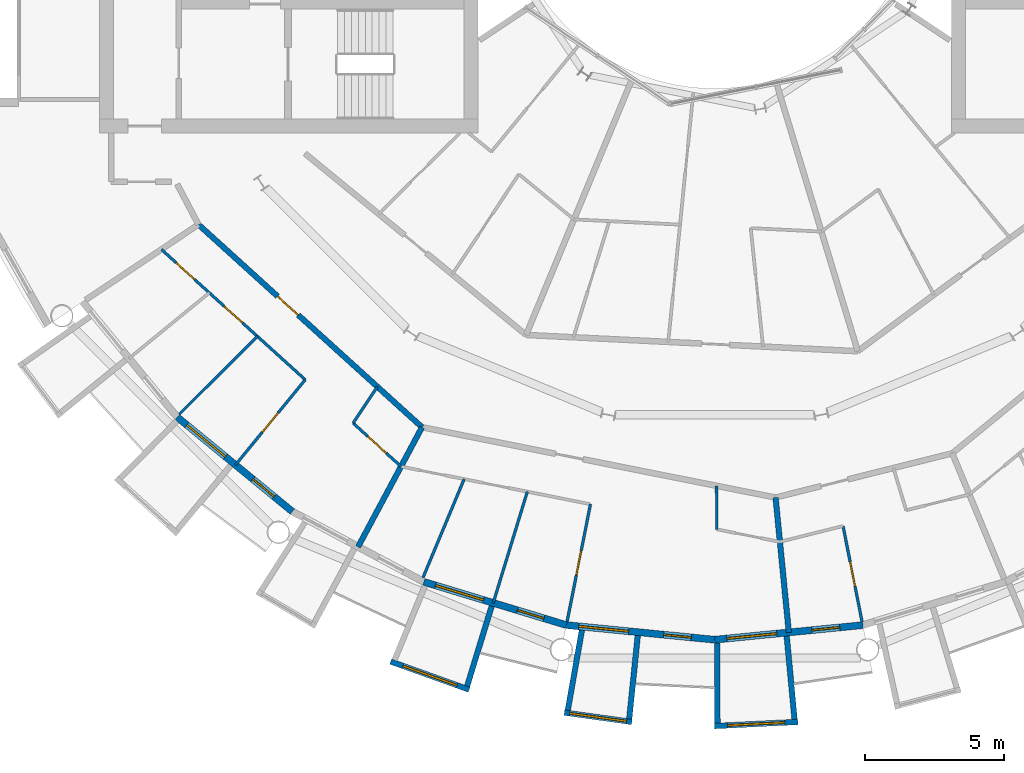
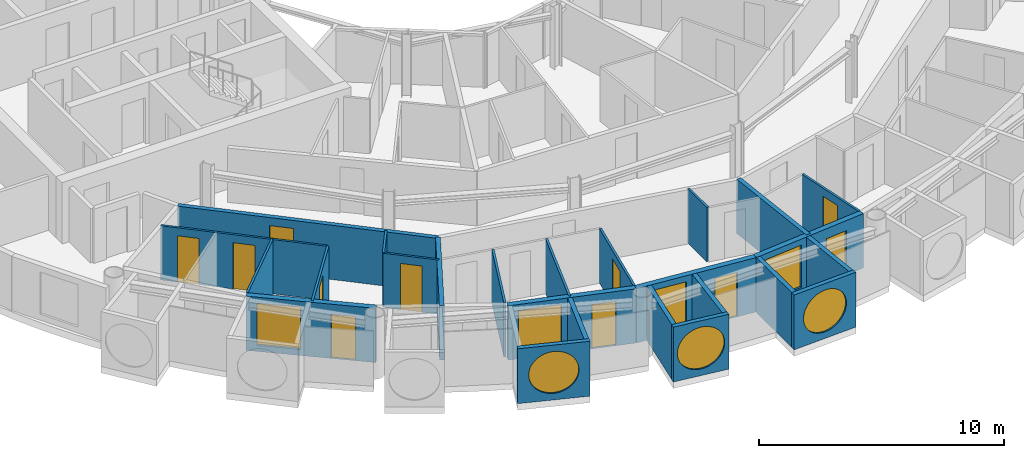
# One storey, part 14 of 27: 25 walls, 11 doors, 7 windows, 18 openings.
"""IFC4 building model written with IfcOpenShell, lengths in metres."""

from ifc_helpers import new_model, si_unit, direction, frame, frame_2d, origin, place, context, subcontext, project, spatial, rectangle, circle, extrude, material, layer, layer_set, type_object, element, fill, save


model = new_model("IFC4")

# Units and contexts
model_context = context("Model", 3, precision=1e-05, world=origin(), true_north=direction((0.0, 1.0)))
body_context = subcontext(model_context, "Body", "Model", "MODEL_VIEW")
ifc_project = project(units=[si_unit("LENGTHUNIT", "METRE"), si_unit("AREAUNIT", "SQUARE_METRE"), si_unit("VOLUMEUNIT", "CUBIC_METRE"), si_unit("PLANEANGLEUNIT", "RADIAN"), si_unit("MASSUNIT", "GRAM", prefix="KILO")], contexts=[model_context])

# Site, building, storey
site_placement = place(None, origin())
site = spatial("IfcSite", under=ifc_project, at=site_placement, CompositionType="ELEMENT")
building_placement = place(site_placement, origin())
building = spatial("IfcBuilding", under=site, at=building_placement, Name="Maasbend Ring Residences", CompositionType="ELEMENT")
storey_placement = place(building_placement, frame((0.0, 0.0, 151.300048828125)))
storey = spatial("IfcBuildingStorey", under=building, at=storey_placement, Name="L43", CompositionType="ELEMENT", Elevation=151.300048828125)

# Wall, opening, door
ifc_material_1 = material(Name="Concrete C30/37", Category="concrete")
ifc_layer_1 = layer(ifc_material_1, 0.199951171875)
ifc_layer_set_1 = layer_set([ifc_layer_1], Name="Concrete C30/37")
wall_type_1 = type_object("IfcWallType", Name="CORRIDOR WALL 200 CONCRETE", PredefinedType="PARTITIONING", material=ifc_layer_set_1)
wall_1_placement = place(storey_placement, frame((-18.5419921875, -12.388916015625, 0.0), z_axis=(0.0, 0.0, 1.0), x_axis=(0.740979597636, -0.671527539188, 0.0)))
wall_1 = element("IfcWall", 1, at=wall_1_placement, inside=storey, type_object=wall_type_1, Name="U-L43-w014", PredefinedType="PARTITIONING", context=body_context, shape_type="SweptSolid", body=[
    extrude(rectangle(XDim=10.841064453125, YDim=0.199951171875, at=frame_2d((5.42041015625, 0.0))), origin(), (0.0, 0.0, 1.0), 2.699951171875),
])
opening_1_placement = place(wall_1_placement, frame((3.8349609375, 0.0, 0.0)))
opening_1 = element("IfcOpeningElement", 2, at=opening_1_placement, cuts=wall_1, Name="Opening D-4333", PredefinedType="OPENING", context=body_context, shape_type="SweptSolid", body=[
    extrude(rectangle(XDim=1.0, YDim=2.300048828125, at=frame_2d((0.5, 1.14990234375))), frame((0.0, 0.10986328125, 0.0), z_axis=(0.0, -1.0, 0.0), x_axis=(1.0, 0.0, 0.0)), (0.0, 0.0, 1.0), 0.219970703125),
])
ifc_material_2 = material(Name="Timber, fire-rated, painted", Category="wood")
door_type_1 = type_object("IfcDoorType", Name="FLAT ENTRANCE DOOR 1000 X 2300 FIRE-RATED", OperationType="NOTDEFINED", PredefinedType="DOOR", material=ifc_material_2)
door_1_placement = place(opening_1_placement, origin())
door_1 = element("IfcDoor", 3, at=door_1_placement, inside=storey, type_object=door_type_1, Name="D-4333", OperationType="SINGLE_SWING_LEFT", OverallHeight=2.300048828125, OverallWidth=1.0, PredefinedType="DOOR", context=body_context, shape_type="SweptSolid", body=[
    extrude(rectangle(XDim=1.0, YDim=2.300048828125, at=frame_2d((0.5, 1.14990234375))), frame((0.0, 0.02490234375, 0.0), z_axis=(0.0, -1.0, 0.0), x_axis=(1.0, 0.0, 0.0)), (0.0, 0.0, 1.0), 0.050048828125),
])
fill(opening_1, door_1)

# Wall, opening, window
ifc_material_3 = material(Name="Pale anodised aluminium panel", Category="aluminium")
ifc_layer_2 = layer(ifc_material_3, 0.199951171875)
ifc_layer_set_2 = layer_set([ifc_layer_2], Name="EW-BOX")
wall_type_2 = type_object("IfcWallType", Name="EW-BOX", PredefinedType="SOLIDWALL", material=ifc_layer_set_2)
wall_2_placement = place(storey_placement, frame((-11.637939453125, -28.083984375, -0.030029296875), z_axis=(0.0, 0.0, 1.0), x_axis=(0.941461077774, -0.337121697664, 0.0)))
wall_2 = element("IfcWall", 4, at=wall_2_placement, inside=storey, type_object=wall_type_2, Name="Box front S07", PredefinedType="SOLIDWALL", context=body_context, shape_type="SweptSolid", body=[
    extrude(rectangle(XDim=2.9931640625, YDim=0.199951171875, at=frame_2d((1.49658203125, 0.0))), origin(), (0.0, 0.0, 1.0), 2.72998046875),
])
opening_2_placement = place(wall_2_placement, frame((0.45654296875, 0.0, 0.330078125)))
opening_2 = element("IfcOpeningElement", 5, at=opening_2_placement, cuts=wall_2, Name="Opening W-RD", PredefinedType="OPENING", context=body_context, shape_type="SweptSolid", body=[
    extrude(circle(Radius=1.0400390625, at=frame_2d((1.0400390625, 1.0400390625))), frame((0.0, 0.10986328125, 0.0), z_axis=(0.0, -1.0, 0.0), x_axis=(1.0, 0.0, 0.0)), (0.0, 0.0, 1.0), 0.219970703125),
])
ifc_material_4 = material(Name="Aluminium and clear glass", Category="aluminium")
window_type_1 = type_object("IfcWindowType", Name="W-RD", PartitioningType="SINGLE_PANEL", PredefinedType="WINDOW", material=ifc_material_4)
window_1_placement = place(opening_2_placement, origin())
window_1 = element("IfcWindow", 6, at=window_1_placement, inside=storey, type_object=window_type_1, Name="Round window S07", OverallHeight=2.080078125, OverallWidth=2.080078125, PartitioningType="SINGLE_PANEL", PredefinedType="WINDOW", context=body_context, shape_type="SweptSolid", body=[
    extrude(circle(Radius=1.0400390625, at=frame_2d((1.0400390625, 1.0400390625))), frame((0.0, 0.030029296875, 0.0), z_axis=(0.0, -1.0, 0.0), x_axis=(1.0, 0.0, 0.0)), (0.0, 0.0, 1.0), 0.06005859375),
])
fill(opening_2, window_1)

# Wall
wall_3_placement = place(storey_placement, frame((-8.009033203125, -26.092041015625, -0.030029296875), z_axis=(0.0, 0.0, 1.0), x_axis=(-0.293406695073, -0.955987715029, 0.0)))
element("IfcWall", 7, at=wall_3_placement, inside=storey, type_object=wall_type_2, Name="Box side wall S07 right", PredefinedType="SOLIDWALL", context=body_context, shape_type="SweptSolid", body=[
    extrude(rectangle(XDim=3.00634765625, YDim=0.199951171875, at=frame_2d((1.503173828125, 0.0))), origin(), (0.0, 0.0, 1.0), 2.72998046875),
])

# Wall, opening, window
wall_4_placement = place(storey_placement, frame((-5.39794921875, -29.9169921875, -0.030029296875), z_axis=(0.0, 0.0, 1.0), x_axis=(0.990462016113, -0.137786046596, 0.0)))
wall_4 = element("IfcWall", 8, at=wall_4_placement, inside=storey, type_object=wall_type_2, Name="Box front S09", PredefinedType="SOLIDWALL", context=body_context, shape_type="SweptSolid", body=[
    extrude(rectangle(XDim=2.4453125, YDim=0.199951171875, at=frame_2d((1.22265625, 0.0))), origin(), (0.0, 0.0, 1.0), 2.72998046875),
])
opening_3_placement = place(wall_4_placement, frame((0.182861328125, 0.0, 0.330078125)))
opening_3 = element("IfcOpeningElement", 9, at=opening_3_placement, cuts=wall_4, Name="Opening W-RD", PredefinedType="OPENING", context=body_context, shape_type="SweptSolid", body=[
    extrude(circle(Radius=1.0400390625, at=frame_2d((1.0400390625, 1.0400390625))), frame((0.0, 0.10986328125, 0.0), z_axis=(0.0, -1.0, 0.0), x_axis=(1.0, 0.0, 0.0)), (0.0, 0.0, 1.0), 0.219970703125),
])
window_2_placement = place(opening_3_placement, origin())
window_2 = element("IfcWindow", 10, at=window_2_placement, inside=storey, type_object=window_type_1, Name="Round window S09", OverallHeight=2.080078125, OverallWidth=2.080078125, PartitioningType="SINGLE_PANEL", PredefinedType="WINDOW", context=body_context, shape_type="SweptSolid", body=[
    extrude(circle(Radius=1.0400390625, at=frame_2d((1.0400390625, 1.0400390625))), frame((0.0, 0.030029296875, 0.0), z_axis=(0.0, -1.0, 0.0), x_axis=(1.0, 0.0, 0.0)), (0.0, 0.0, 1.0), 0.06005859375),
])
fill(opening_3, window_2)

# Walls
wall_5_placement = place(storey_placement, frame((-4.76904296875, -26.9560546875, -0.030029296875), z_axis=(0.0, 0.0, 1.0), x_axis=(-0.174056778901, -0.984735618183, 0.0)))
element("IfcWall", 11, at=wall_5_placement, inside=storey, type_object=wall_type_2, Name="Box side wall S09 left", PredefinedType="SOLIDWALL", context=body_context, shape_type="SweptSolid", body=[
    extrude(rectangle(XDim=2.924560546875, YDim=0.199951171875, at=frame_2d((1.46240234375, 0.0))), origin(), (0.0, 0.0, 1.0), 2.72998046875),
])
wall_6_placement = place(storey_placement, frame((-2.763916015625, -27.153076171875, -0.030029296875), z_axis=(0.0, 0.0, 1.0), x_axis=(-0.101505487237, -0.994834979311, 0.0)))
element("IfcWall", 12, at=wall_6_placement, inside=storey, type_object=wall_type_2, Name="Box side wall S09 right", PredefinedType="SOLIDWALL", context=body_context, shape_type="SweptSolid", body=[
    extrude(rectangle(XDim=3.006591796875, YDim=0.199951171875, at=frame_2d((1.50341796875, 0.0))), origin(), (0.0, 0.0, 1.0), 2.72998046875),
])

# Wall, opening, window
wall_7_placement = place(storey_placement, frame((-0.0048828125, -30.39990234375, -0.030029296875), z_axis=(0.0, 0.0, 1.0), x_axis=(0.998794083011, 0.049095618353, 0.0)))
wall_7 = element("IfcWall", 13, at=wall_7_placement, inside=storey, type_object=wall_type_2, Name="Box front S11", PredefinedType="SOLIDWALL", context=body_context, shape_type="SweptSolid", body=[
    extrude(rectangle(XDim=2.99365234375, YDim=0.199951171875, at=frame_2d((1.496826171875, 0.0))), origin(), (0.0, 0.0, 1.0), 2.72998046875),
])
opening_4_placement = place(wall_7_placement, frame((0.45654296875, 0.0, 0.330078125)))
opening_4 = element("IfcOpeningElement", 14, at=opening_4_placement, cuts=wall_7, Name="Opening W-RD", PredefinedType="OPENING", context=body_context, shape_type="SweptSolid", body=[
    extrude(circle(Radius=1.0400390625, at=frame_2d((1.0400390625, 1.0400390625))), frame((0.0, 0.10986328125, 0.0), z_axis=(0.0, -1.0, 0.0), x_axis=(1.0, 0.0, 0.0)), (0.0, 0.0, 1.0), 0.219970703125),
])
window_3_placement = place(opening_4_placement, origin())
window_3 = element("IfcWindow", 15, at=window_3_placement, inside=storey, type_object=window_type_1, Name="Round window S11", OverallHeight=2.080078125, OverallWidth=2.080078125, PartitioningType="SINGLE_PANEL", PredefinedType="WINDOW", context=body_context, shape_type="SweptSolid", body=[
    extrude(circle(Radius=1.0400390625, at=frame_2d((1.0400390625, 1.0400390625))), frame((0.0, 0.030029296875, 0.0), z_axis=(0.0, -1.0, 0.0), x_axis=(1.0, 0.0, 0.0)), (0.0, 0.0, 1.0), 0.06005859375),
])
fill(opening_4, window_3)

# Walls
wall_8_placement = place(storey_placement, frame((0.090087890625, -27.4169921875, -0.030029296875), z_axis=(0.0, 0.0, 1.0), x_axis=(0.00347308367, -0.999993968827, 0.0)))
element("IfcWall", 16, at=wall_8_placement, inside=storey, type_object=wall_type_2, Name="Box side wall S11 left", PredefinedType="SOLIDWALL", context=body_context, shape_type="SweptSolid", body=[
    extrude(rectangle(XDim=2.882080078125, YDim=0.199951171875, at=frame_2d((1.44091796875, 0.0))), origin(), (0.0, 0.0, 1.0), 2.72998046875),
])
wall_9_placement = place(storey_placement, frame((2.5859375, -27.1708984375, -0.030029296875), z_axis=(0.0, 0.0, 1.0), x_axis=(0.094548432284, -0.995520262954, 0.0)))
element("IfcWall", 17, at=wall_9_placement, inside=storey, type_object=wall_type_2, Name="Box side wall S11 right", PredefinedType="SOLIDWALL", context=body_context, shape_type="SweptSolid", body=[
    extrude(rectangle(XDim=3.005615234375, YDim=0.199951171875, at=frame_2d((1.5029296875, 0.0))), origin(), (0.0, 0.0, 1.0), 2.72998046875),
])

# Wall, openings, door, window
ifc_material_5 = material(Name="Aluminium clad insulated panel", Category="aluminium")
ifc_layer_3 = layer(ifc_material_5, 0.25)
ifc_layer_set_3 = layer_set([ifc_layer_3], Name="EW-GL")
wall_type_3 = type_object("IfcWallType", Name="EW-GL", PredefinedType="SOLIDWALL", material=ifc_layer_set_3)
wall_10_placement = place(storey_placement, frame((-19.303955078125, -19.303955078125, 0.0), z_axis=(0.0, 0.0, 1.0), x_axis=(0.773019449054, -0.634382322723, 0.0)))
wall_10 = element("IfcWall", 18, at=wall_10_placement, inside=storey, type_object=wall_type_3, Name="External wall S02", PredefinedType="SOLIDWALL", context=body_context, shape_type="SweptSolid", body=[
    extrude(rectangle(XDim=5.351806640625, YDim=0.25, at=frame_2d((2.67578125, 0.0))), origin(), (0.0, 0.0, 1.0), 2.699951171875),
])
opening_5_placement = place(wall_10_placement, frame((0.441162109375, 0.0, 0.300048828125)))
opening_5 = element("IfcOpeningElement", 19, at=opening_5_placement, cuts=wall_10, Name="Opening W-BX", PredefinedType="OPENING", context=body_context, shape_type="SweptSolid", body=[
    extrude(rectangle(XDim=1.800048828125, YDim=2.10009765625, at=frame_2d((0.89990234375, 1.050048828125))), frame((0.0, 0.135009765625, 0.0), z_axis=(0.0, -1.0, 0.0), x_axis=(1.0, 0.0, 0.0)), (0.0, 0.0, 1.0), 0.27001953125),
])
opening_6_placement = place(wall_10_placement, frame((3.510498046875, 0.0, 0.0)))
opening_6 = element("IfcOpeningElement", 20, at=opening_6_placement, cuts=wall_10, Name="Opening D-LG", PredefinedType="OPENING", context=body_context, shape_type="SweptSolid", body=[
    extrude(rectangle(XDim=1.0, YDim=2.199951171875, at=frame_2d((0.5, 1.10009765625))), frame((0.0, 0.135009765625, 0.0), z_axis=(0.0, -1.0, 0.0), x_axis=(1.0, 0.0, 0.0)), (0.0, 0.0, 1.0), 0.27001953125),
])
ifc_material_6 = material(Name="Aluminium and clear glass", Category="aluminium")
door_type_2 = type_object("IfcDoorType", Name="D-LG", OperationType="SINGLE_SWING_LEFT", PredefinedType="DOOR", material=ifc_material_6)
door_2_placement = place(opening_6_placement, origin())
door_2 = element("IfcDoor", 21, at=door_2_placement, inside=storey, type_object=door_type_2, Name="Loggia door S04", OperationType="SINGLE_SWING_LEFT", OverallHeight=2.199951171875, OverallWidth=1.0, PredefinedType="DOOR", context=body_context, shape_type="SweptSolid", body=[
    extrude(rectangle(XDim=1.0, YDim=2.199951171875, at=frame_2d((0.5, 1.10009765625))), frame((0.0, 0.02490234375, 0.0), z_axis=(0.0, -1.0, 0.0), x_axis=(1.0, 0.0, 0.0)), (0.0, 0.0, 1.0), 0.050048828125),
])
fill(opening_6, door_2)
ifc_material_7 = material(Name="Aluminium and clear glass", Category="aluminium")
window_type_2 = type_object("IfcWindowType", Name="W-BX", PartitioningType="DOUBLE_PANEL_VERTICAL", PredefinedType="WINDOW", material=ifc_material_7)
window_4_placement = place(opening_5_placement, origin())
window_4 = element("IfcWindow", 22, at=window_4_placement, inside=storey, type_object=window_type_2, Name="Window S03 room to box", OverallHeight=2.10009765625, OverallWidth=1.800048828125, PartitioningType="SINGLE_PANEL", PredefinedType="WINDOW", context=body_context, shape_type="SweptSolid", body=[
    extrude(rectangle(XDim=1.800048828125, YDim=2.10009765625, at=frame_2d((0.89990234375, 1.050048828125))), frame((0.0, 0.030029296875, 0.0), z_axis=(0.0, -1.0, 0.0), x_axis=(1.0, 0.0, 0.0)), (0.0, 0.0, 1.0), 0.06005859375),
])
fill(opening_5, window_4)

wall_11_placement = place(storey_placement, frame((-10.447021484375, -25.221923828125, 0.0), z_axis=(0.0, 0.0, 1.0), x_axis=(0.956965678721, -0.290201119486, 0.0)))
wall_11 = element("IfcWall", 23, at=wall_11_placement, inside=storey, type_object=wall_type_3, Name="External wall S04", PredefinedType="SOLIDWALL", context=body_context, shape_type="SweptSolid", body=[
    extrude(rectangle(XDim=5.351318359375, YDim=0.25, at=frame_2d((2.67578125, 0.0))), origin(), (0.0, 0.0, 1.0), 2.699951171875),
])
opening_7_placement = place(wall_11_placement, frame((0.441162109375, 0.0, 0.300048828125)))
opening_7 = element("IfcOpeningElement", 24, at=opening_7_placement, cuts=wall_11, Name="Opening W-BX", PredefinedType="OPENING", context=body_context, shape_type="SweptSolid", body=[
    extrude(rectangle(XDim=1.800048828125, YDim=2.10009765625, at=frame_2d((0.89990234375, 1.050048828125))), frame((0.0, 0.135009765625, 0.0), z_axis=(0.0, -1.0, 0.0), x_axis=(1.0, 0.0, 0.0)), (0.0, 0.0, 1.0), 0.27001953125),
])
opening_8_placement = place(wall_11_placement, frame((3.510498046875, 0.0, 0.0)))
opening_8 = element("IfcOpeningElement", 25, at=opening_8_placement, cuts=wall_11, Name="Opening D-LG", PredefinedType="OPENING", context=body_context, shape_type="SweptSolid", body=[
    extrude(rectangle(XDim=1.0, YDim=2.199951171875, at=frame_2d((0.5, 1.10009765625))), frame((0.0, 0.135009765625, 0.0), z_axis=(0.0, -1.0, 0.0), x_axis=(1.0, 0.0, 0.0)), (0.0, 0.0, 1.0), 0.27001953125),
])
door_3_placement = place(opening_8_placement, origin())
door_3 = element("IfcDoor", 26, at=door_3_placement, inside=storey, type_object=door_type_2, Name="Loggia door S08", OperationType="SINGLE_SWING_LEFT", OverallHeight=2.199951171875, OverallWidth=1.0, PredefinedType="DOOR", context=body_context, shape_type="SweptSolid", body=[
    extrude(rectangle(XDim=1.0, YDim=2.199951171875, at=frame_2d((0.5, 1.10009765625))), frame((0.0, 0.02490234375, 0.0), z_axis=(0.0, -1.0, 0.0), x_axis=(1.0, 0.0, 0.0)), (0.0, 0.0, 1.0), 0.050048828125),
])
fill(opening_8, door_3)
window_5_placement = place(opening_7_placement, origin())
window_5 = element("IfcWindow", 27, at=window_5_placement, inside=storey, type_object=window_type_2, Name="Window S07 room to box", OverallHeight=2.10009765625, OverallWidth=1.800048828125, PartitioningType="SINGLE_PANEL", PredefinedType="WINDOW", context=body_context, shape_type="SweptSolid", body=[
    extrude(rectangle(XDim=1.800048828125, YDim=2.10009765625, at=frame_2d((0.89990234375, 1.050048828125))), frame((0.0, 0.030029296875, 0.0), z_axis=(0.0, -1.0, 0.0), x_axis=(1.0, 0.0, 0.0)), (0.0, 0.0, 1.0), 0.06005859375),
])
fill(opening_7, window_5)

wall_12_placement = place(storey_placement, frame((-5.325927734375, -26.77490234375, 0.0), z_axis=(0.0, 0.0, 1.0), x_axis=(0.995173996315, -0.098126026407, 0.0)))
wall_12 = element("IfcWall", 28, at=wall_12_placement, inside=storey, type_object=wall_type_3, Name="External wall S05", PredefinedType="SOLIDWALL", context=body_context, shape_type="SweptSolid", body=[
    extrude(rectangle(XDim=5.351806640625, YDim=0.25, at=frame_2d((2.67578125, 0.0))), origin(), (0.0, 0.0, 1.0), 2.699951171875),
])
opening_9_placement = place(wall_12_placement, frame((0.441162109375, 0.0, 0.300048828125)))
opening_9 = element("IfcOpeningElement", 29, at=opening_9_placement, cuts=wall_12, Name="Opening W-BX", PredefinedType="OPENING", context=body_context, shape_type="SweptSolid", body=[
    extrude(rectangle(XDim=1.800048828125, YDim=2.10009765625, at=frame_2d((0.89990234375, 1.050048828125))), frame((0.0, 0.135009765625, 0.0), z_axis=(0.0, -1.0, 0.0), x_axis=(1.0, 0.0, 0.0)), (0.0, 0.0, 1.0), 0.27001953125),
])
opening_10_placement = place(wall_12_placement, frame((3.510498046875, 0.0, 0.0)))
opening_10 = element("IfcOpeningElement", 30, at=opening_10_placement, cuts=wall_12, Name="Opening D-LG", PredefinedType="OPENING", context=body_context, shape_type="SweptSolid", body=[
    extrude(rectangle(XDim=1.0, YDim=2.199951171875, at=frame_2d((0.5, 1.10009765625))), frame((0.0, 0.135009765625, 0.0), z_axis=(0.0, -1.0, 0.0), x_axis=(1.0, 0.0, 0.0)), (0.0, 0.0, 1.0), 0.27001953125),
])
door_4_placement = place(opening_10_placement, origin())
door_4 = element("IfcDoor", 31, at=door_4_placement, inside=storey, type_object=door_type_2, Name="Loggia door S10", OperationType="SINGLE_SWING_LEFT", OverallHeight=2.199951171875, OverallWidth=1.0, PredefinedType="DOOR", context=body_context, shape_type="SweptSolid", body=[
    extrude(rectangle(XDim=1.0, YDim=2.199951171875, at=frame_2d((0.5, 1.10009765625))), frame((0.0, 0.02490234375, 0.0), z_axis=(0.0, -1.0, 0.0), x_axis=(1.0, 0.0, 0.0)), (0.0, 0.0, 1.0), 0.050048828125),
])
fill(opening_10, door_4)
window_6_placement = place(opening_9_placement, origin())
window_6 = element("IfcWindow", 32, at=window_6_placement, inside=storey, type_object=window_type_2, Name="Window S09 room to box", OverallHeight=2.10009765625, OverallWidth=1.800048828125, PartitioningType="SINGLE_PANEL", PredefinedType="WINDOW", context=body_context, shape_type="SweptSolid", body=[
    extrude(rectangle(XDim=1.800048828125, YDim=2.10009765625, at=frame_2d((0.89990234375, 1.050048828125))), frame((0.0, 0.030029296875, 0.0), z_axis=(0.0, -1.0, 0.0), x_axis=(1.0, 0.0, 0.0)), (0.0, 0.0, 1.0), 0.06005859375),
])
fill(opening_9, window_6)

wall_13_placement = place(storey_placement, frame((0.0, -27.300048828125, 0.0), z_axis=(0.0, 0.0, 1.0), x_axis=(0.995173996315, 0.098126026407, 0.0)))
wall_13 = element("IfcWall", 33, at=wall_13_placement, inside=storey, type_object=wall_type_3, Name="External wall S06", PredefinedType="SOLIDWALL", context=body_context, shape_type="SweptSolid", body=[
    extrude(rectangle(XDim=5.351806640625, YDim=0.25, at=frame_2d((2.67578125, 0.0))), origin(), (0.0, 0.0, 1.0), 2.699951171875),
])
opening_11_placement = place(wall_13_placement, frame((0.441162109375, 0.0, 0.300048828125)))
opening_11 = element("IfcOpeningElement", 34, at=opening_11_placement, cuts=wall_13, Name="Opening W-BX", PredefinedType="OPENING", context=body_context, shape_type="SweptSolid", body=[
    extrude(rectangle(XDim=1.800048828125, YDim=2.10009765625, at=frame_2d((0.89990234375, 1.050048828125))), frame((0.0, 0.135009765625, 0.0), z_axis=(0.0, -1.0, 0.0), x_axis=(1.0, 0.0, 0.0)), (0.0, 0.0, 1.0), 0.27001953125),
])
opening_12_placement = place(wall_13_placement, frame((3.510498046875, 0.0, 0.0)))
opening_12 = element("IfcOpeningElement", 35, at=opening_12_placement, cuts=wall_13, Name="Opening D-LG", PredefinedType="OPENING", context=body_context, shape_type="SweptSolid", body=[
    extrude(rectangle(XDim=1.0, YDim=2.199951171875, at=frame_2d((0.5, 1.10009765625))), frame((0.0, 0.135009765625, 0.0), z_axis=(0.0, -1.0, 0.0), x_axis=(1.0, 0.0, 0.0)), (0.0, 0.0, 1.0), 0.27001953125),
])
door_5_placement = place(opening_12_placement, origin())
door_5 = element("IfcDoor", 36, at=door_5_placement, inside=storey, type_object=door_type_2, Name="Loggia door S12", OperationType="SINGLE_SWING_LEFT", OverallHeight=2.199951171875, OverallWidth=1.0, PredefinedType="DOOR", context=body_context, shape_type="SweptSolid", body=[
    extrude(rectangle(XDim=1.0, YDim=2.199951171875, at=frame_2d((0.5, 1.10009765625))), frame((0.0, 0.02490234375, 0.0), z_axis=(0.0, -1.0, 0.0), x_axis=(1.0, 0.0, 0.0)), (0.0, 0.0, 1.0), 0.050048828125),
])
fill(opening_12, door_5)
window_7_placement = place(opening_11_placement, origin())
window_7 = element("IfcWindow", 37, at=window_7_placement, inside=storey, type_object=window_type_2, Name="Window S11 room to box", OverallHeight=2.10009765625, OverallWidth=1.800048828125, PartitioningType="SINGLE_PANEL", PredefinedType="WINDOW", context=body_context, shape_type="SweptSolid", body=[
    extrude(rectangle(XDim=1.800048828125, YDim=2.10009765625, at=frame_2d((0.89990234375, 1.050048828125))), frame((0.0, 0.030029296875, 0.0), z_axis=(0.0, -1.0, 0.0), x_axis=(1.0, 0.0, 0.0)), (0.0, 0.0, 1.0), 0.06005859375),
])
fill(opening_11, window_7)

# Wall, openings, doors
ifc_material_8 = material(Name="Gypsum board on steel studs", Category="steel")
ifc_layer_4 = layer(ifc_material_8, 0.10009765625)
ifc_layer_set_4 = layer_set([ifc_layer_4], Name="PARTITION 100 GYPSUM")
wall_type_4 = type_object("IfcWallType", Name="PARTITION 100 GYPSUM", PredefinedType="PARTITIONING", material=ifc_layer_set_4)
wall_14_placement = place(storey_placement, frame((-19.868896484375, -13.283935546875, 0.0), z_axis=(0.0, 0.0, 1.0), x_axis=(0.741104058203, -0.67139018083, 0.0)))
wall_14 = element("IfcWall", 38, at=wall_14_placement, inside=storey, type_object=wall_type_4, Name="U-L43-w003", PredefinedType="PARTITIONING", context=body_context, shape_type="SweptSolid", body=[
    extrude(rectangle(XDim=6.968994140625, YDim=0.10009765625, at=frame_2d((3.484375, 0.0))), origin(), (0.0, 0.0, 1.0), 2.699951171875),
])
opening_13_placement = place(wall_14_placement, frame((3.028076171875, 0.0, 0.0)))
opening_13 = element("IfcOpeningElement", 39, at=opening_13_placement, cuts=wall_14, Name="Opening D-4336", PredefinedType="OPENING", context=body_context, shape_type="SweptSolid", body=[
    extrude(rectangle(XDim=0.89990234375, YDim=2.300048828125, at=frame_2d((0.449951171875, 1.14990234375))), frame((0.0, 0.06005859375, 0.0), z_axis=(0.0, -1.0, 0.0), x_axis=(1.0, 0.0, 0.0)), (0.0, 0.0, 1.0), 0.1201171875),
])
opening_14_placement = place(wall_14_placement, frame((0.705078125, 0.0, 0.0)))
opening_14 = element("IfcOpeningElement", 40, at=opening_14_placement, cuts=wall_14, Name="Opening D-4337", PredefinedType="OPENING", context=body_context, shape_type="SweptSolid", body=[
    extrude(rectangle(XDim=0.89990234375, YDim=2.300048828125, at=frame_2d((0.449951171875, 1.14990234375))), frame((0.0, 0.06005859375, 0.0), z_axis=(0.0, -1.0, 0.0), x_axis=(1.0, 0.0, 0.0)), (0.0, 0.0, 1.0), 0.1201171875),
])
ifc_material_9 = material(Name="Timber, painted", Category="wood")
door_type_3 = type_object("IfcDoorType", Name="INTERNAL DOOR 900 X 2300", OperationType="NOTDEFINED", PredefinedType="DOOR", material=ifc_material_9)
door_6_placement = place(opening_13_placement, origin())
door_6 = element("IfcDoor", 41, at=door_6_placement, inside=storey, type_object=door_type_3, Name="D-4336", OperationType="SINGLE_SWING_LEFT", OverallHeight=2.300048828125, OverallWidth=0.89990234375, PredefinedType="DOOR", context=body_context, shape_type="SweptSolid", body=[
    extrude(rectangle(XDim=0.89990234375, YDim=2.300048828125, at=frame_2d((0.449951171875, 1.14990234375))), frame((0.0, 0.02490234375, 0.0), z_axis=(0.0, -1.0, 0.0), x_axis=(1.0, 0.0, 0.0)), (0.0, 0.0, 1.0), 0.050048828125),
])
fill(opening_13, door_6)
door_7_placement = place(opening_14_placement, origin())
door_7 = element("IfcDoor", 42, at=door_7_placement, inside=storey, type_object=door_type_3, Name="D-4337", OperationType="SINGLE_SWING_LEFT", OverallHeight=2.300048828125, OverallWidth=0.89990234375, PredefinedType="DOOR", context=body_context, shape_type="SweptSolid", body=[
    extrude(rectangle(XDim=0.89990234375, YDim=2.300048828125, at=frame_2d((0.449951171875, 1.14990234375))), frame((0.0, 0.02490234375, 0.0), z_axis=(0.0, -1.0, 0.0), x_axis=(1.0, 0.0, 0.0)), (0.0, 0.0, 1.0), 0.050048828125),
])
fill(opening_14, door_7)

# Wall, opening, door
wall_15_placement = place(storey_placement, frame((-12.988037109375, -19.51806640625, 0.0), z_axis=(0.0, 0.0, 1.0), x_axis=(0.741132356378, -0.671358942988, 0.0)))
wall_15 = element("IfcWall", 43, at=wall_15_placement, inside=storey, type_object=wall_type_4, Name="U-L43-w004", PredefinedType="PARTITIONING", context=body_context, shape_type="SweptSolid", body=[
    extrude(rectangle(XDim=2.323486328125, YDim=0.10009765625, at=frame_2d((1.16162109375, 0.0))), origin(), (0.0, 0.0, 1.0), 2.699951171875),
])
opening_15_placement = place(wall_15_placement, frame((0.7119140625, 0.0, 0.0)))
opening_15 = element("IfcOpeningElement", 44, at=opening_15_placement, cuts=wall_15, Name="Opening D-4334", PredefinedType="OPENING", context=body_context, shape_type="SweptSolid", body=[
    extrude(rectangle(XDim=0.89990234375, YDim=2.300048828125, at=frame_2d((0.449951171875, 1.14990234375))), frame((0.0, 0.06005859375, 0.0), z_axis=(0.0, -1.0, 0.0), x_axis=(1.0, 0.0, 0.0)), (0.0, 0.0, 1.0), 0.1201171875),
])
door_8_placement = place(opening_15_placement, origin())
door_8 = element("IfcDoor", 45, at=door_8_placement, inside=storey, type_object=door_type_3, Name="D-4334", OperationType="SINGLE_SWING_RIGHT", OverallHeight=2.300048828125, OverallWidth=0.89990234375, PredefinedType="DOOR", context=body_context, shape_type="SweptSolid", body=[
    extrude(rectangle(XDim=0.89990234375, YDim=2.300048828125, at=frame_2d((0.449951171875, 1.14990234375))), frame((0.0, 0.02490234375, 0.0), z_axis=(0.0, -1.0, 0.0), x_axis=(1.0, 0.0, 0.0)), (0.0, 0.0, 1.0), 0.050048828125),
])
fill(opening_15, door_8)

# Wall
wall_16_placement = place(storey_placement, frame((-19.23095703125, -19.199951171875, 0.0), z_axis=(0.0, 0.0, 1.0), x_axis=(0.707722727509, 0.706490297858, 0.0)))
element("IfcWall", 46, at=wall_16_placement, inside=storey, type_object=wall_type_4, Name="U-L43-w039", PredefinedType="PARTITIONING", context=body_context, shape_type="SweptSolid", body=[
    extrude(rectangle(XDim=3.9619140625, YDim=0.10009765625, at=frame_2d((1.98095703125, 0.0))), origin(), (0.0, 0.0, 1.0), 2.699951171875),
])

# Wall, opening, door
wall_17_placement = place(storey_placement, frame((-17.216064453125, -21.02587890625, 0.0), z_axis=(0.0, 0.0, 1.0), x_axis=(0.633590098448, 0.773668913133, 0.0)))
wall_17 = element("IfcWall", 47, at=wall_17_placement, inside=storey, type_object=wall_type_4, Name="U-L43-w041", PredefinedType="PARTITIONING", context=body_context, shape_type="SweptSolid", body=[
    extrude(rectangle(XDim=3.961669921875, YDim=0.10009765625, at=frame_2d((1.98095703125, 0.0))), origin(), (0.0, 0.0, 1.0), 2.699951171875),
])
opening_16_placement = place(wall_17_placement, frame((1.531005859375, 0.0, 0.0)))
opening_16 = element("IfcOpeningElement", 48, at=opening_16_placement, cuts=wall_17, Name="Opening D-4335", PredefinedType="OPENING", context=body_context, shape_type="SweptSolid", body=[
    extrude(rectangle(XDim=0.89990234375, YDim=2.300048828125, at=frame_2d((0.449951171875, 1.14990234375))), frame((0.0, 0.06005859375, 0.0), z_axis=(0.0, -1.0, 0.0), x_axis=(1.0, 0.0, 0.0)), (0.0, 0.0, 1.0), 0.1201171875),
])
door_9_placement = place(opening_16_placement, origin())
door_9 = element("IfcDoor", 49, at=door_9_placement, inside=storey, type_object=door_type_3, Name="D-4335", OperationType="SINGLE_SWING_RIGHT", OverallHeight=2.300048828125, OverallWidth=0.89990234375, PredefinedType="DOOR", context=body_context, shape_type="SweptSolid", body=[
    extrude(rectangle(XDim=0.89990234375, YDim=2.300048828125, at=frame_2d((0.449951171875, 1.14990234375))), frame((0.0, 0.02490234375, 0.0), z_axis=(0.0, -1.0, 0.0), x_axis=(1.0, 0.0, 0.0)), (0.0, 0.0, 1.0), 0.050048828125),
])
fill(opening_16, door_9)

# Walls
wall_18_placement = place(storey_placement, frame((-12.988037109375, -19.51806640625, 0.0), z_axis=(0.0, 0.0, 1.0), x_axis=(0.554125989098, 0.832432813028, 0.0)))
element("IfcWall", 50, at=wall_18_placement, inside=storey, type_object=wall_type_4, Name="U-L43-w042", PredefinedType="PARTITIONING", context=body_context, shape_type="SweptSolid", body=[
    extrude(rectangle(XDim=1.5703125, YDim=0.10009765625, at=frame_2d((0.78515625, 0.0))), origin(), (0.0, 0.0, 1.0), 2.699951171875),
])
wall_19_placement = place(storey_placement, frame((-10.47900390625, -25.072998046875, 0.0), z_axis=(0.0, 0.0, 1.0), x_axis=(0.385572005139, 0.922677749192, 0.0)))
element("IfcWall", 51, at=wall_19_placement, inside=storey, type_object=wall_type_4, Name="U-L43-w047", PredefinedType="PARTITIONING", context=body_context, shape_type="SweptSolid", body=[
    extrude(rectangle(XDim=3.8408203125, YDim=0.10009765625, at=frame_2d((1.92041015625, 0.0))), origin(), (0.0, 0.0, 1.0), 2.699951171875),
])
wall_20_placement = place(storey_placement, frame((-7.9560546875, -25.98388671875, 0.0), z_axis=(0.0, 0.0, 1.0), x_axis=(0.292799128207, 0.956173975028, 0.0)))
element("IfcWall", 52, at=wall_20_placement, inside=storey, type_object=wall_type_4, Name="U-L43-w050", PredefinedType="PARTITIONING", context=body_context, shape_type="SweptSolid", body=[
    extrude(rectangle(XDim=4.1875, YDim=0.10009765625, at=frame_2d((2.09375, 0.0))), origin(), (0.0, 0.0, 1.0), 2.699951171875),
])

# Wall, opening, door
wall_21_placement = place(storey_placement, frame((-5.302001953125, -26.653076171875, 0.0), z_axis=(0.0, 0.0, 1.0), x_axis=(0.195145394338, 0.98077432423, 0.0)))
wall_21 = element("IfcWall", 53, at=wall_21_placement, inside=storey, type_object=wall_type_4, Name="U-L43-w054", PredefinedType="PARTITIONING", context=body_context, shape_type="SweptSolid", body=[
    extrude(rectangle(XDim=4.304931640625, YDim=0.10009765625, at=frame_2d((2.15234375, 0.0))), origin(), (0.0, 0.0, 1.0), 2.699951171875),
])
opening_17_placement = place(wall_21_placement, frame((1.701904296875, 0.0, 0.0)))
opening_17 = element("IfcOpeningElement", 54, at=opening_17_placement, cuts=wall_21, Name="Opening D-4340", PredefinedType="OPENING", context=body_context, shape_type="SweptSolid", body=[
    extrude(rectangle(XDim=0.89990234375, YDim=2.300048828125, at=frame_2d((0.449951171875, 1.14990234375))), frame((0.0, 0.06005859375, 0.0), z_axis=(0.0, -1.0, 0.0), x_axis=(1.0, 0.0, 0.0)), (0.0, 0.0, 1.0), 0.1201171875),
])
door_10_placement = place(opening_17_placement, origin())
door_10 = element("IfcDoor", 55, at=door_10_placement, inside=storey, type_object=door_type_3, Name="D-4340", OperationType="SINGLE_SWING_LEFT", OverallHeight=2.300048828125, OverallWidth=0.89990234375, PredefinedType="DOOR", context=body_context, shape_type="SweptSolid", body=[
    extrude(rectangle(XDim=0.89990234375, YDim=2.300048828125, at=frame_2d((0.449951171875, 1.14990234375))), frame((0.0, 0.02490234375, 0.0), z_axis=(0.0, -1.0, 0.0), x_axis=(1.0, 0.0, 0.0)), (0.0, 0.0, 1.0), 0.050048828125),
])
fill(opening_17, door_10)

# Wall
wall_22_placement = place(storey_placement, frame((0.073974609375, -23.333984375, 0.0), z_axis=(0.0, 0.0, 1.0), x_axis=(-0.003125961595, 0.99999511417, 0.0)))
element("IfcWall", 56, at=wall_22_placement, inside=storey, type_object=wall_type_4, Name="U-L43-w062", PredefinedType="PARTITIONING", context=body_context, shape_type="SweptSolid", body=[
    extrude(rectangle(XDim=1.56201171875, YDim=0.10009765625, at=frame_2d((0.781005859375, 0.0))), origin(), (0.0, 0.0, 1.0), 2.699951171875),
])

# Wall, opening, door
wall_23_placement = place(storey_placement, frame((4.610107421875, -23.217041015625, 0.0), z_axis=(0.0, 0.0, 1.0), x_axis=(0.194816685017, -0.980839670506, 0.0)))
wall_23 = element("IfcWall", 57, at=wall_23_placement, inside=storey, type_object=wall_type_4, Name="U-L43-w070", PredefinedType="PARTITIONING", context=body_context, shape_type="SweptSolid", body=[
    extrude(rectangle(XDim=3.505126953125, YDim=0.10009765625, at=frame_2d((1.75244140625, 0.0))), origin(), (0.0, 0.0, 1.0), 2.699951171875),
])
opening_18_placement = place(wall_23_placement, frame((1.302978515625, 0.0, 0.0)))
opening_18 = element("IfcOpeningElement", 58, at=opening_18_placement, cuts=wall_23, Name="Opening D-4345", PredefinedType="OPENING", context=body_context, shape_type="SweptSolid", body=[
    extrude(rectangle(XDim=0.89990234375, YDim=2.300048828125, at=frame_2d((0.449951171875, 1.14990234375))), frame((0.0, 0.06005859375, 0.0), z_axis=(0.0, -1.0, 0.0), x_axis=(1.0, 0.0, 0.0)), (0.0, 0.0, 1.0), 0.1201171875),
])
door_11_placement = place(opening_18_placement, origin())
door_11 = element("IfcDoor", 59, at=door_11_placement, inside=storey, type_object=door_type_3, Name="D-4345", OperationType="SINGLE_SWING_RIGHT", OverallHeight=2.300048828125, OverallWidth=0.89990234375, PredefinedType="DOOR", context=body_context, shape_type="SweptSolid", body=[
    extrude(rectangle(XDim=0.89990234375, YDim=2.300048828125, at=frame_2d((0.449951171875, 1.14990234375))), frame((0.0, 0.02490234375, 0.0), z_axis=(0.0, -1.0, 0.0), x_axis=(1.0, 0.0, 0.0)), (0.0, 0.0, 1.0), 0.050048828125),
])
fill(opening_18, door_11)

# Walls
ifc_material_10 = material(Name="Concrete C30/37", Category="concrete")
ifc_layer_5 = layer(ifc_material_10, 0.199951171875)
ifc_layer_set_5 = layer_set([ifc_layer_5], Name="Concrete C30/37")
wall_type_5 = type_object("IfcWallType", Name="PARTY WALL 200 CONCRETE", PredefinedType="PARTITIONING", material=ifc_layer_set_5)
wall_24_placement = place(storey_placement, frame((-12.81005859375, -23.966064453125, 0.0), z_axis=(0.0, 0.0, 1.0), x_axis=(0.471427642527, 0.881904744211, 0.0)))
element("IfcWall", 60, at=wall_24_placement, inside=storey, type_object=wall_type_5, Name="U-L43-w043", PredefinedType="PARTITIONING", context=body_context, shape_type="SweptSolid", body=[
    extrude(rectangle(XDim=4.874755859375, YDim=0.199951171875, at=frame_2d((2.4375, 0.0))), origin(), (0.0, 0.0, 1.0), 2.699951171875),
])
wall_25_placement = place(storey_placement, frame((2.18603515625, -22.193115234375, 0.0), z_axis=(0.0, 0.0, 1.0), x_axis=(0.098070432075, -0.995179476453, 0.0)))
element("IfcWall", 61, at=wall_25_placement, inside=storey, type_object=wall_type_5, Name="U-L43-w065", PredefinedType="PARTITIONING", context=body_context, shape_type="SweptSolid", body=[
    extrude(rectangle(XDim=4.874267578125, YDim=0.199951171875, at=frame_2d((2.43701171875, 0.0))), origin(), (0.0, 0.0, 1.0), 2.699951171875),
])

save(model, "model.ifc")
